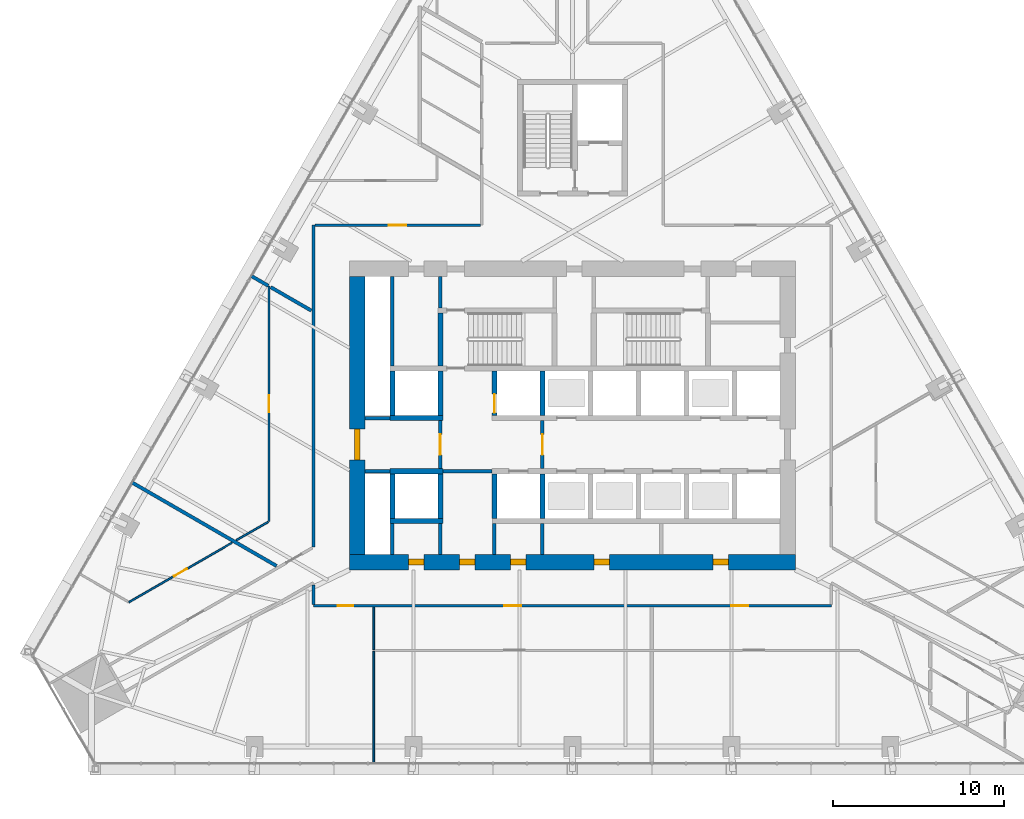
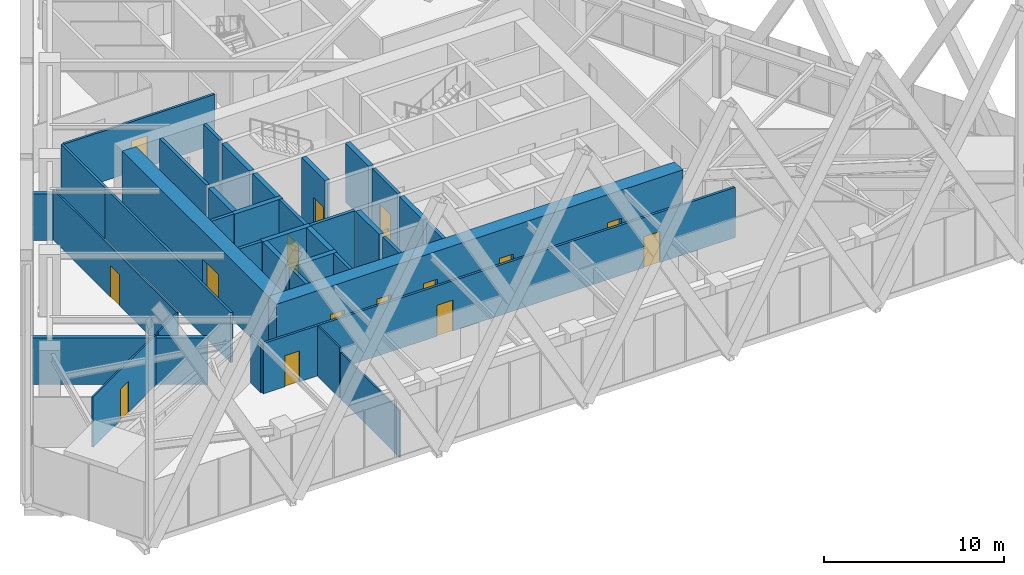
# One storey, part 13 of 19: 37 walls, 15 doors, 15 openings.
"""IFC4 building model written with IfcOpenShell, lengths in metres."""

from ifc_helpers import new_model, si_unit, direction, frame, frame_2d, origin, place, context, subcontext, project, spatial, rectangle, extrude, material, layer, layer_set, type_object, element, fill, save


model = new_model("IFC4")

# Units and contexts
model_context = context("Model", 3, precision=1e-05, world=origin(), true_north=direction((0.0, 1.0)))
body_context = subcontext(model_context, "Body", "Model", "MODEL_VIEW")
ifc_project = project(units=[si_unit("LENGTHUNIT", "METRE"), si_unit("AREAUNIT", "SQUARE_METRE"), si_unit("VOLUMEUNIT", "CUBIC_METRE"), si_unit("PLANEANGLEUNIT", "RADIAN"), si_unit("MASSUNIT", "GRAM", prefix="KILO")], contexts=[model_context])

# Site, building, storey
site_placement = place(None, origin())
site = spatial("IfcSite", under=ifc_project, at=site_placement, CompositionType="ELEMENT")
building_placement = place(site_placement, origin())
building = spatial("IfcBuilding", under=site, at=building_placement, Name="Firuza Gate Tower and Library", CompositionType="ELEMENT")
storey_placement = place(building_placement, frame((0.0, 0.0, 124.0)))
storey = spatial("IfcBuildingStorey", under=building, at=storey_placement, Name="L28", CompositionType="ELEMENT", Elevation=124.0)

# Walls
ifc_material_1 = material(Name="Plasterboard on steel studs", Category="steel")
ifc_layer_1 = layer(ifc_material_1, 0.199951171875)
ifc_layer_set_1 = layer_set([ifc_layer_1], Name="Core partition 200 EI 120")
wall_type_1 = type_object("IfcWallType", Name="Core partition 200 EI 120", PredefinedType="PARTITIONING", material=ifc_layer_set_1)
wall_1_placement = place(storey_placement, frame((62.89990234375, 71.75, 0.0), z_axis=(0.0, 0.0, 1.0), x_axis=(1.0, 0.0, 0.0)))
element("IfcWall", 1, at=wall_1_placement, inside=storey, type_object=wall_type_1, Name="Core partition L28 1", PredefinedType="PARTITIONING", context=body_context, shape_type="SweptSolid", body=[
    extrude(rectangle(XDim=1.4501953125, YDim=0.199951171875, at=frame_2d((0.72509765625, 0.0))), origin(), (0.0, 0.0, 1.0), 4.0),
])
wall_2_placement = place(storey_placement, frame((67.449951171875, 71.75, 0.0), z_axis=(0.0, 0.0, 1.0), x_axis=(1.0, 0.0, 0.0)))
element("IfcWall", 2, at=wall_2_placement, inside=storey, type_object=wall_type_1, Name="Core partition L28 2", PredefinedType="PARTITIONING", context=body_context, shape_type="SweptSolid", body=[
    extrude(rectangle(XDim=2.85009765625, YDim=0.199951171875, at=frame_2d((1.425048828125, 0.0))), origin(), (0.0, 0.0, 1.0), 4.0),
])
wall_3_placement = place(storey_placement, frame((62.89990234375, 74.85009765625, 0.0), z_axis=(0.0, 0.0, 1.0), x_axis=(1.0, 0.0, 0.0)))
element("IfcWall", 3, at=wall_3_placement, inside=storey, type_object=wall_type_1, Name="Core partition L28 3", PredefinedType="PARTITIONING", context=body_context, shape_type="SweptSolid", body=[
    extrude(rectangle(XDim=1.4501953125, YDim=0.199951171875, at=frame_2d((0.72509765625, 0.0))), origin(), (0.0, 0.0, 1.0), 4.0),
])
wall_4_placement = place(storey_placement, frame((64.5, 66.89990234375, 0.0), z_axis=(0.0, 0.0, 1.0), x_axis=(0.0, 1.0, 0.0)))
element("IfcWall", 4, at=wall_4_placement, inside=storey, type_object=wall_type_1, Name="Core partition L28 5", PredefinedType="PARTITIONING", context=body_context, shape_type="SweptSolid", body=[
    extrude(rectangle(XDim=1.800048828125, YDim=0.199951171875, at=frame_2d((0.89990234375, 0.0))), origin(), (0.0, 0.0, 1.0), 4.0),
])
wall_5_placement = place(storey_placement, frame((64.5, 77.89990234375, 0.0), z_axis=(0.0, 0.0, 1.0), x_axis=(0.0, 1.0, 0.0)))
element("IfcWall", 5, at=wall_5_placement, inside=storey, type_object=wall_type_1, Name="Core partition L28 6", PredefinedType="PARTITIONING", context=body_context, shape_type="SweptSolid", body=[
    extrude(rectangle(XDim=5.2001953125, YDim=0.199951171875, at=frame_2d((2.60009765625, 0.0))), origin(), (0.0, 0.0, 1.0), 4.0),
])
for number, where, z_axis, x_axis, name in (
    (6, (67.300048828125, 66.89990234375, 0.0), (0.0, 0.0, 1.0), (0.0, 1.0, 0.0), "Core partition L28 7"),
    (7, (70.449951171875, 66.89990234375, 0.0), (0.0, 0.0, 1.0), (0.0, 1.0, 0.0), "Core partition L28 10"),
    (8, (73.25, 66.89990234375, 0.0), (0.0, 0.0, 1.0), (0.0, 1.0, 0.0), "Core partition L28 11"),
):
    element("IfcWall", number, at=place(storey_placement, frame(where, z_axis=z_axis, x_axis=x_axis)), inside=storey, type_object=wall_type_1, Name=name, PredefinedType="PARTITIONING", context=body_context, shape_type="SweptSolid", body=[
        extrude(rectangle(XDim=1.800048828125, YDim=0.199951171875, at=frame_2d((0.89990234375, 0.0))), origin(), (0.0, 0.0, 1.0), 4.0),
    ])

# Wall, opening, door
ifc_material_2 = material(Name="Plasterboard on steel studs", Category="steel")
ifc_layer_2 = layer(ifc_material_2, 0.199951171875)
ifc_layer_set_2 = layer_set([ifc_layer_2], Name="Core partition 200 EI 60")
wall_type_2 = type_object("IfcWallType", Name="Core partition 200 EI 60", PredefinedType="PARTITIONING", material=ifc_layer_set_2)
wall_6_placement = place(storey_placement, frame((67.300048828125, 71.89990234375, 0.0), z_axis=(0.0, 0.0, 1.0), x_axis=(0.0, 1.0, 0.0)))
wall_6 = element("IfcWall", 9, at=wall_6_placement, inside=storey, type_object=wall_type_2, Name="Core partition L28 8", PredefinedType="PARTITIONING", context=body_context, shape_type="SweptSolid", body=[
    extrude(rectangle(XDim=2.800048828125, YDim=0.199951171875, at=frame_2d((1.39990234375, 0.0))), origin(), (0.0, 0.0, 1.0), 4.0),
])
opening_1_placement = place(wall_6_placement, frame((0.800048828125, 0.0, 0.0)))
opening_1 = element("IfcOpeningElement", 10, at=opening_1_placement, cuts=wall_6, Name="Opening L28-K21", PredefinedType="OPENING", context=body_context, shape_type="SweptSolid", body=[
    extrude(rectangle(XDim=1.199951171875, YDim=2.10009765625, at=frame_2d((0.60009765625, 1.050048828125))), frame((0.0, 0.10986328125, 0.0), z_axis=(0.0, -1.0, 0.0), x_axis=(1.0, 0.0, 0.0)), (0.0, 0.0, 1.0), 0.219970703125),
])
ifc_material_3 = material(Name="Steel", Category="steel")
door_type_1 = type_object("IfcDoorType", Name="Fire door 1200x2100 FD90S", OperationType="NOTDEFINED", PredefinedType="DOOR", material=ifc_material_3)
door_1_placement = place(opening_1_placement, origin())
door_1 = element("IfcDoor", 11, at=door_1_placement, inside=storey, type_object=door_type_1, Name="Door L28-K21", OperationType="SINGLE_SWING_RIGHT", OverallHeight=2.10009765625, OverallWidth=1.199951171875, PredefinedType="DOOR", context=body_context, shape_type="SweptSolid", body=[
    extrude(rectangle(XDim=1.199951171875, YDim=2.10009765625, at=frame_2d((0.60009765625, 1.050048828125))), frame((0.0, 0.02490234375, 0.0), z_axis=(0.0, -1.0, 0.0), x_axis=(1.0, 0.0, 0.0)), (0.0, 0.0, 1.0), 0.050048828125),
])
fill(opening_1, door_1)

# Wall
wall_7_placement = place(storey_placement, frame((67.300048828125, 81.280029296875, 0.0), z_axis=(0.0, 0.0, 1.0), x_axis=(0.0, 1.0, 0.0)))
element("IfcWall", 12, at=wall_7_placement, inside=storey, type_object=wall_type_2, Name="Core partition L28 9", PredefinedType="PARTITIONING", context=body_context, shape_type="SweptSolid", body=[
    extrude(rectangle(XDim=1.820068359375, YDim=0.199951171875, at=frame_2d((0.91015625, 0.0))), origin(), (0.0, 0.0, 1.0), 4.0),
])

# Wall, opening, door
wall_8_placement = place(storey_placement, frame((73.25, 71.89990234375, 0.0), z_axis=(0.0, 0.0, 1.0), x_axis=(0.0, 1.0, 0.0)))
wall_8 = element("IfcWall", 13, at=wall_8_placement, inside=storey, type_object=wall_type_2, Name="Core partition L28 12", PredefinedType="PARTITIONING", context=body_context, shape_type="SweptSolid", body=[
    extrude(rectangle(XDim=2.800048828125, YDim=0.199951171875, at=frame_2d((1.39990234375, 0.0))), origin(), (0.0, 0.0, 1.0), 4.0),
])
opening_2_placement = place(wall_8_placement, frame((0.800048828125, 0.0, 0.0)))
opening_2 = element("IfcOpeningElement", 14, at=opening_2_placement, cuts=wall_8, Name="Opening L28-K20", PredefinedType="OPENING", context=body_context, shape_type="SweptSolid", body=[
    extrude(rectangle(XDim=1.199951171875, YDim=2.10009765625, at=frame_2d((0.60009765625, 1.050048828125))), frame((0.0, 0.10986328125, 0.0), z_axis=(0.0, -1.0, 0.0), x_axis=(1.0, 0.0, 0.0)), (0.0, 0.0, 1.0), 0.219970703125),
])
door_2_placement = place(opening_2_placement, origin())
door_2 = element("IfcDoor", 15, at=door_2_placement, inside=storey, type_object=door_type_1, Name="Door L28-K20", OperationType="SINGLE_SWING_LEFT", OverallHeight=2.10009765625, OverallWidth=1.199951171875, PredefinedType="DOOR", context=body_context, shape_type="SweptSolid", body=[
    extrude(rectangle(XDim=1.199951171875, YDim=2.10009765625, at=frame_2d((0.60009765625, 1.050048828125))), frame((0.0, 0.02490234375, 0.0), z_axis=(0.0, -1.0, 0.0), x_axis=(1.0, 0.0, 0.0)), (0.0, 0.0, 1.0), 0.050048828125),
])
fill(opening_2, door_2)

# Walls
ifc_material_4 = material(Name="Concrete C80/95", Category="concrete")
ifc_layer_3 = layer(ifc_material_4, 0.300048828125)
ifc_layer_set_3 = layer_set([ifc_layer_3], Name="Core wall 300 C80/95")
wall_type_3 = type_object("IfcWallType", Name="Core wall 300 C80/95", PredefinedType="SHEAR", material=ifc_layer_set_3)
for number, where, z_axis, x_axis, name in (
    (16, (64.35009765625, 68.85009765625, 0.0), (0.0, 0.0, 1.0), (1.0, 0.0, 0.0), "Core wall L28 5"),
    (17, (64.35009765625, 71.75, 0.0), (0.0, 0.0, 1.0), (1.0, 0.0, 0.0), "Core wall L28 7"),
    (18, (64.35009765625, 74.85009765625, 0.0), (0.0, 0.0, 1.0), (1.0, 0.0, 0.0), "Core wall L28 9"),
):
    element("IfcWall", number, at=place(storey_placement, frame(where, z_axis=z_axis, x_axis=x_axis)), inside=storey, type_object=wall_type_3, Name=name, PredefinedType="SHEAR", context=body_context, shape_type="SweptSolid", body=[
        extrude(rectangle(XDim=3.099853515625, YDim=0.300048828125, at=frame_2d((1.5498046875, 0.0))), origin(), (0.0, 0.0, 1.0), 4.0),
    ])
for number, where, z_axis, x_axis, name in (
    (19, (64.5, 69.0, 0.0), (0.0, 0.0, 1.0), (0.0, 1.0, 0.0), "Core wall L28 11"),
    (20, (64.5, 75.0, 0.0), (0.0, 0.0, 1.0), (0.0, 1.0, 0.0), "Core wall L28 12"),
    (21, (67.300048828125, 69.0, 0.0), (0.0, 0.0, 1.0), (0.0, 1.0, 0.0), "Core wall L28 13"),
    (22, (67.300048828125, 75.0, 0.0), (0.0, 0.0, 1.0), (0.0, 1.0, 0.0), "Core wall L28 14"),
    (23, (70.449951171875, 69.0, 0.0), (0.0, 0.0, 1.0), (0.0, 1.0, 0.0), "Core wall L28 15"),
):
    element("IfcWall", number, at=place(storey_placement, frame(where, z_axis=z_axis, x_axis=x_axis)), inside=storey, type_object=wall_type_3, Name=name, PredefinedType="SHEAR", context=body_context, shape_type="SweptSolid", body=[
        extrude(rectangle(XDim=2.60009765625, YDim=0.300048828125, at=frame_2d((1.300048828125, 0.0))), origin(), (0.0, 0.0, 1.0), 4.0),
    ])

# Wall, opening, door
wall_9_placement = place(storey_placement, frame((70.449951171875, 75.0, 0.0), z_axis=(0.0, 0.0, 1.0), x_axis=(0.0, 1.0, 0.0)))
wall_9 = element("IfcWall", 24, at=wall_9_placement, inside=storey, type_object=wall_type_3, Name="Core wall L28 16", PredefinedType="SHEAR", context=body_context, shape_type="SweptSolid", body=[
    extrude(rectangle(XDim=2.60009765625, YDim=0.300048828125, at=frame_2d((1.300048828125, 0.0))), origin(), (0.0, 0.0, 1.0), 4.0),
])
opening_3_placement = place(wall_9_placement, frame((0.14990234375, 0.0, 0.0)))
opening_3 = element("IfcOpeningElement", 25, at=opening_3_placement, cuts=wall_9, Name="Opening LD-FF2-L28", PredefinedType="OPENING", context=body_context, shape_type="SweptSolid", body=[
    extrude(rectangle(XDim=1.10009765625, YDim=2.10009765625, at=frame_2d((0.550048828125, 1.050048828125))), frame((0.0, 0.16015625, 0.0), z_axis=(0.0, -1.0, 0.0), x_axis=(1.0, 0.0, 0.0)), (0.0, 0.0, 1.0), 0.320068359375),
])
ifc_material_5 = material(Name="Stainless steel", Category="steel")
door_type_2 = type_object("IfcDoorType", Name="Lift landing door 1100x2100", OperationType="DOUBLE_DOOR_SLIDING", PredefinedType="DOOR", material=ifc_material_5)
door_3_placement = place(opening_3_placement, origin())
door_3 = element("IfcDoor", 26, at=door_3_placement, inside=storey, type_object=door_type_2, Name="Landing door FF2 L28", OperationType="DOUBLE_DOOR_SLIDING", OverallHeight=2.10009765625, OverallWidth=1.10009765625, PredefinedType="DOOR", context=body_context, shape_type="SweptSolid", body=[
    extrude(rectangle(XDim=1.10009765625, YDim=2.10009765625, at=frame_2d((0.550048828125, 1.050048828125))), frame((0.0, 0.02490234375, 0.0), z_axis=(0.0, -1.0, 0.0), x_axis=(1.0, 0.0, 0.0)), (0.0, 0.0, 1.0), 0.050048828125),
])
fill(opening_3, door_3)

# Walls
for number, where, z_axis, x_axis, name in (
    (27, (73.25, 69.0, 0.0), (0.0, 0.0, 1.0), (0.0, 1.0, 0.0), "Core wall L28 17"),
    (28, (73.25, 75.0, 0.0), (0.0, 0.0, 1.0), (0.0, 1.0, 0.0), "Core wall L28 18"),
):
    element("IfcWall", number, at=place(storey_placement, frame(where, z_axis=z_axis, x_axis=x_axis)), inside=storey, type_object=wall_type_3, Name=name, PredefinedType="SHEAR", context=body_context, shape_type="SweptSolid", body=[
        extrude(rectangle(XDim=2.60009765625, YDim=0.300048828125, at=frame_2d((1.300048828125, 0.0))), origin(), (0.0, 0.0, 1.0), 4.0),
    ])
wall_10_placement = place(storey_placement, frame((67.300048828125, 77.89990234375, 0.0), z_axis=(0.0, 0.0, 1.0), x_axis=(0.0, 1.0, 0.0)))
element("IfcWall", 29, at=wall_10_placement, inside=storey, type_object=wall_type_3, Name="Core wall L28 30", PredefinedType="SHEAR", context=body_context, shape_type="SweptSolid", body=[
    extrude(rectangle(XDim=3.080078125, YDim=0.300048828125, at=frame_2d((1.5400390625, 0.0))), origin(), (0.0, 0.0, 1.0), 4.0),
])

# Wall, openings, doors
ifc_material_6 = material(Name="Concrete C80/95", Category="concrete")
ifc_layer_4 = layer(ifc_material_6, 0.89990234375)
ifc_layer_set_4 = layer_set([ifc_layer_4], Name="Core wall 900 C80/95")
wall_type_4 = type_object("IfcWallType", Name="Core wall 900 C80/95", PredefinedType="SHEAR", material=ifc_layer_set_4)
wall_11_placement = place(storey_placement, frame((62.0, 66.449951171875, 0.0), z_axis=(0.0, 0.0, 1.0), x_axis=(1.0, 0.0, 0.0)))
wall_11 = element("IfcWall", 30, at=wall_11_placement, inside=storey, type_object=wall_type_4, Name="Core wall L28 1", PredefinedType="SHEAR", context=body_context, shape_type="SweptSolid", body=[
    extrude(rectangle(XDim=26.0, YDim=0.89990234375, at=frame_2d((13.0, 0.0))), origin(), (0.0, 0.0, 1.0), 4.0),
])
opening_4_placement = place(wall_11_placement, frame((3.449951171875, 0.0, 0.0)))
opening_4 = element("IfcOpeningElement", 31, at=opening_4_placement, cuts=wall_11, Name="Opening L28-K24", PredefinedType="OPENING", context=body_context, shape_type="SweptSolid", body=[
    extrude(rectangle(XDim=0.89990234375, YDim=2.10009765625, at=frame_2d((0.449951171875, 1.050048828125))), frame((0.0, 0.4599609375, 0.0), z_axis=(0.0, -1.0, 0.0), x_axis=(1.0, 0.0, 0.0)), (0.0, 0.0, 1.0), 0.919921875),
])
opening_5_placement = place(wall_11_placement, frame((6.425048828125, 0.0, 0.0)))
opening_5 = element("IfcOpeningElement", 32, at=opening_5_placement, cuts=wall_11, Name="Opening L28-K25", PredefinedType="OPENING", context=body_context, shape_type="SweptSolid", body=[
    extrude(rectangle(XDim=0.89990234375, YDim=2.10009765625, at=frame_2d((0.449951171875, 1.050048828125))), frame((0.0, 0.4599609375, 0.0), z_axis=(0.0, -1.0, 0.0), x_axis=(1.0, 0.0, 0.0)), (0.0, 0.0, 1.0), 0.919921875),
])
opening_6_placement = place(wall_11_placement, frame((9.39990234375, 0.0, 0.0)))
opening_6 = element("IfcOpeningElement", 33, at=opening_6_placement, cuts=wall_11, Name="Opening L28-K26", PredefinedType="OPENING", context=body_context, shape_type="SweptSolid", body=[
    extrude(rectangle(XDim=0.89990234375, YDim=2.10009765625, at=frame_2d((0.449951171875, 1.050048828125))), frame((0.0, 0.4599609375, 0.0), z_axis=(0.0, -1.0, 0.0), x_axis=(1.0, 0.0, 0.0)), (0.0, 0.0, 1.0), 0.919921875),
])
opening_7_placement = place(wall_11_placement, frame((14.262451171875, 0.0, 0.0)))
opening_7 = element("IfcOpeningElement", 34, at=opening_7_placement, cuts=wall_11, Name="Opening L28-K27", PredefinedType="OPENING", context=body_context, shape_type="SweptSolid", body=[
    extrude(rectangle(XDim=0.89990234375, YDim=2.10009765625, at=frame_2d((0.449951171875, 1.050048828125))), frame((0.0, 0.4599609375, 0.0), z_axis=(0.0, -1.0, 0.0), x_axis=(1.0, 0.0, 0.0)), (0.0, 0.0, 1.0), 0.919921875),
])
opening_8_placement = place(wall_11_placement, frame((21.1875, 0.0, 0.0)))
opening_8 = element("IfcOpeningElement", 35, at=opening_8_placement, cuts=wall_11, Name="Opening L28-K28", PredefinedType="OPENING", context=body_context, shape_type="SweptSolid", body=[
    extrude(rectangle(XDim=0.89990234375, YDim=2.10009765625, at=frame_2d((0.449951171875, 1.050048828125))), frame((0.0, 0.4599609375, 0.0), z_axis=(0.0, -1.0, 0.0), x_axis=(1.0, 0.0, 0.0)), (0.0, 0.0, 1.0), 0.919921875),
])
ifc_material_7 = material(Name="Steel", Category="steel")
door_type_3 = type_object("IfcDoorType", Name="Fire door 900x2100 FD30S", OperationType="NOTDEFINED", PredefinedType="DOOR", material=ifc_material_7)
door_4_placement = place(opening_4_placement, origin())
door_4 = element("IfcDoor", 36, at=door_4_placement, inside=storey, type_object=door_type_3, Name="Door L28-K24", OperationType="SINGLE_SWING_LEFT", OverallHeight=2.10009765625, OverallWidth=0.89990234375, PredefinedType="DOOR", context=body_context, shape_type="SweptSolid", body=[
    extrude(rectangle(XDim=0.89990234375, YDim=2.10009765625, at=frame_2d((0.449951171875, 1.050048828125))), frame((0.0, 0.169921875, 0.0), z_axis=(0.0, -1.0, 0.0), x_axis=(1.0, 0.0, 0.0)), (0.0, 0.0, 1.0), 0.33984375),
])
fill(opening_4, door_4)
door_5_placement = place(opening_5_placement, origin())
door_5 = element("IfcDoor", 37, at=door_5_placement, inside=storey, type_object=door_type_3, Name="Door L28-K25", OperationType="SINGLE_SWING_RIGHT", OverallHeight=2.10009765625, OverallWidth=0.89990234375, PredefinedType="DOOR", context=body_context, shape_type="SweptSolid", body=[
    extrude(rectangle(XDim=0.89990234375, YDim=2.10009765625, at=frame_2d((0.449951171875, 1.050048828125))), frame((0.0, 0.169921875, 0.0), z_axis=(0.0, -1.0, 0.0), x_axis=(1.0, 0.0, 0.0)), (0.0, 0.0, 1.0), 0.33984375),
])
fill(opening_5, door_5)
door_6_placement = place(opening_6_placement, origin())
door_6 = element("IfcDoor", 38, at=door_6_placement, inside=storey, type_object=door_type_3, Name="Door L28-K26", OperationType="SINGLE_SWING_LEFT", OverallHeight=2.10009765625, OverallWidth=0.89990234375, PredefinedType="DOOR", context=body_context, shape_type="SweptSolid", body=[
    extrude(rectangle(XDim=0.89990234375, YDim=2.10009765625, at=frame_2d((0.449951171875, 1.050048828125))), frame((0.0, 0.169921875, 0.0), z_axis=(0.0, -1.0, 0.0), x_axis=(1.0, 0.0, 0.0)), (0.0, 0.0, 1.0), 0.33984375),
])
fill(opening_6, door_6)
door_7_placement = place(opening_7_placement, origin())
door_7 = element("IfcDoor", 39, at=door_7_placement, inside=storey, type_object=door_type_3, Name="Door L28-K27", OperationType="SINGLE_SWING_RIGHT", OverallHeight=2.10009765625, OverallWidth=0.89990234375, PredefinedType="DOOR", context=body_context, shape_type="SweptSolid", body=[
    extrude(rectangle(XDim=0.89990234375, YDim=2.10009765625, at=frame_2d((0.449951171875, 1.050048828125))), frame((0.0, 0.169921875, 0.0), z_axis=(0.0, -1.0, 0.0), x_axis=(1.0, 0.0, 0.0)), (0.0, 0.0, 1.0), 0.33984375),
])
fill(opening_7, door_7)
door_8_placement = place(opening_8_placement, origin())
door_8 = element("IfcDoor", 40, at=door_8_placement, inside=storey, type_object=door_type_3, Name="Door L28-K28", OperationType="SINGLE_SWING_LEFT", OverallHeight=2.10009765625, OverallWidth=0.89990234375, PredefinedType="DOOR", context=body_context, shape_type="SweptSolid", body=[
    extrude(rectangle(XDim=0.89990234375, YDim=2.10009765625, at=frame_2d((0.449951171875, 1.050048828125))), frame((0.0, 0.169921875, 0.0), z_axis=(0.0, -1.0, 0.0), x_axis=(1.0, 0.0, 0.0)), (0.0, 0.0, 1.0), 0.33984375),
])
fill(opening_8, door_8)

# Wall, opening, door
wall_12_placement = place(storey_placement, frame((62.449951171875, 66.89990234375, 0.0), z_axis=(0.0, 0.0, 1.0), x_axis=(0.0, 1.0, 0.0)))
wall_12 = element("IfcWall", 41, at=wall_12_placement, inside=storey, type_object=wall_type_4, Name="Core wall L28 3", PredefinedType="SHEAR", context=body_context, shape_type="SweptSolid", body=[
    extrude(rectangle(XDim=16.2001953125, YDim=0.89990234375, at=frame_2d((8.10009765625, 0.0))), origin(), (0.0, 0.0, 1.0), 4.0),
])
opening_9_placement = place(wall_12_placement, frame((5.5, 0.0, 0.0)))
opening_9 = element("IfcOpeningElement", 42, at=opening_9_placement, cuts=wall_12, Name="Opening L28-K22", PredefinedType="OPENING", context=body_context, shape_type="SweptSolid", body=[
    extrude(rectangle(XDim=1.800048828125, YDim=2.10009765625, at=frame_2d((0.89990234375, 1.050048828125))), frame((0.0, 0.4599609375, 0.0), z_axis=(0.0, -1.0, 0.0), x_axis=(1.0, 0.0, 0.0)), (0.0, 0.0, 1.0), 0.919921875),
])
ifc_material_8 = material(Name="Steel", Category="steel")
door_type_4 = type_object("IfcDoorType", Name="Fire door 1800x2100 FD30S", OperationType="NOTDEFINED", PredefinedType="DOOR", material=ifc_material_8)
door_9_placement = place(opening_9_placement, origin())
door_9 = element("IfcDoor", 43, at=door_9_placement, inside=storey, type_object=door_type_4, Name="Door L28-K22", OperationType="SINGLE_SWING_LEFT", OverallHeight=2.10009765625, OverallWidth=1.800048828125, PredefinedType="DOOR", context=body_context, shape_type="SweptSolid", body=[
    extrude(rectangle(XDim=1.800048828125, YDim=2.10009765625, at=frame_2d((0.89990234375, 1.050048828125))), frame((0.0, 0.169921875, 0.0), z_axis=(0.0, -1.0, 0.0), x_axis=(1.0, 0.0, 0.0)), (0.0, 0.0, 1.0), 0.33984375),
])
fill(opening_9, door_9)

# Wall, openings, doors
ifc_material_9 = material(Name="Gypsum board partition")
ifc_layer_5 = layer(ifc_material_9, 0.14990234375)
ifc_layer_set_5 = layer_set([ifc_layer_5], Name="Corridor wall 150 double board on steel studs")
wall_type_5 = type_object("IfcWallType", Name="Corridor wall 150 double board on steel studs", PredefinedType="PARTITIONING", material=ifc_layer_set_5)
wall_13_placement = place(storey_placement, frame((90.10009765625, 63.89990234375, 0.0), z_axis=(0.0, 0.0, 1.0), x_axis=(-1.0, 0.0, 0.0)))
wall_13 = element("IfcWall", 44, at=wall_13_placement, inside=storey, type_object=wall_type_5, Name="f:L28:w001", PredefinedType="PARTITIONING", context=body_context, shape_type="SweptSolid", body=[
    extrude(rectangle(XDim=30.19970703125, YDim=0.14990234375, at=frame_2d((15.099853515625, 0.0))), origin(), (0.0, 0.0, 1.0), 3.39990234375),
])
opening_10_placement = place(wall_13_placement, frame((4.83349609375, 0.0, 0.0)))
opening_10 = element("IfcOpeningElement", 45, at=opening_10_placement, cuts=wall_13, Name="Opening L28-03", PredefinedType="OPENING", context=body_context, shape_type="SweptSolid", body=[
    extrude(rectangle(XDim=1.0, YDim=2.10009765625, at=frame_2d((0.5, 1.050048828125))), frame((0.0, 0.0849609375, 0.0), z_axis=(0.0, -1.0, 0.0), x_axis=(1.0, 0.0, 0.0)), (0.0, 0.0, 1.0), 0.169921875),
])
opening_11_placement = place(wall_13_placement, frame((18.0771484375, 0.0, 0.0)))
opening_11 = element("IfcOpeningElement", 46, at=opening_11_placement, cuts=wall_13, Name="Opening L28-04", PredefinedType="OPENING", context=body_context, shape_type="SweptSolid", body=[
    extrude(rectangle(XDim=1.0, YDim=2.10009765625, at=frame_2d((0.5, 1.050048828125))), frame((0.0, 0.0849609375, 0.0), z_axis=(0.0, -1.0, 0.0), x_axis=(1.0, 0.0, 0.0)), (0.0, 0.0, 1.0), 0.169921875),
])
opening_12_placement = place(wall_13_placement, frame((27.893310546875, 0.0, 0.0)))
opening_12 = element("IfcOpeningElement", 47, at=opening_12_placement, cuts=wall_13, Name="Opening L28-05", PredefinedType="OPENING", context=body_context, shape_type="SweptSolid", body=[
    extrude(rectangle(XDim=0.89990234375, YDim=2.10009765625, at=frame_2d((0.449951171875, 1.050048828125))), frame((0.0, 0.0849609375, 0.0), z_axis=(0.0, -1.0, 0.0), x_axis=(1.0, 0.0, 0.0)), (0.0, 0.0, 1.0), 0.169921875),
])
ifc_material_10 = material(Name="Steel door and timber leaf", Category="steel")
door_type_5 = type_object("IfcDoorType", Name="Fire door 1000 x 2100 steel frame, timber leaf", OperationType="NOTDEFINED", PredefinedType="DOOR", material=ifc_material_10)
door_10_placement = place(opening_10_placement, origin())
door_10 = element("IfcDoor", 48, at=door_10_placement, inside=storey, type_object=door_type_5, Name="f:L28:d003", OperationType="SINGLE_SWING_RIGHT", OverallHeight=2.10009765625, OverallWidth=1.0, PredefinedType="DOOR", context=body_context, shape_type="SweptSolid", body=[
    extrude(rectangle(XDim=1.0, YDim=2.10009765625, at=frame_2d((0.5, 1.050048828125))), frame((0.0, 0.02490234375, 0.0), z_axis=(0.0, -1.0, 0.0), x_axis=(1.0, 0.0, 0.0)), (0.0, 0.0, 1.0), 0.050048828125),
])
fill(opening_10, door_10)
door_11_placement = place(opening_11_placement, origin())
door_11 = element("IfcDoor", 49, at=door_11_placement, inside=storey, type_object=door_type_5, Name="f:L28:d004", OperationType="SINGLE_SWING_RIGHT", OverallHeight=2.10009765625, OverallWidth=1.0, PredefinedType="DOOR", context=body_context, shape_type="SweptSolid", body=[
    extrude(rectangle(XDim=1.0, YDim=2.10009765625, at=frame_2d((0.5, 1.050048828125))), frame((0.0, 0.02490234375, 0.0), z_axis=(0.0, -1.0, 0.0), x_axis=(1.0, 0.0, 0.0)), (0.0, 0.0, 1.0), 0.050048828125),
])
fill(opening_11, door_11)
ifc_material_11 = material(Name="Steel door and timber leaf", Category="steel")
door_type_6 = type_object("IfcDoorType", Name="Fire door 900 x 2100 steel frame, timber leaf", OperationType="NOTDEFINED", PredefinedType="DOOR", material=ifc_material_11)
door_12_placement = place(opening_12_placement, origin())
door_12 = element("IfcDoor", 50, at=door_12_placement, inside=storey, type_object=door_type_6, Name="f:L28:d005", OperationType="SINGLE_SWING_RIGHT", OverallHeight=2.10009765625, OverallWidth=0.89990234375, PredefinedType="DOOR", context=body_context, shape_type="SweptSolid", body=[
    extrude(rectangle(XDim=0.89990234375, YDim=2.10009765625, at=frame_2d((0.449951171875, 1.050048828125))), frame((0.0, 0.02490234375, 0.0), z_axis=(0.0, -1.0, 0.0), x_axis=(1.0, 0.0, 0.0)), (0.0, 0.0, 1.0), 0.050048828125),
])
fill(opening_12, door_12)

# Wall, opening, door
wall_14_placement = place(storey_placement, frame((59.9755859375, 86.10009765625, 0.0), z_axis=(0.0, 0.0, 1.0), x_axis=(1.0, 0.0, 0.0)))
wall_14 = element("IfcWall", 51, at=wall_14_placement, inside=storey, type_object=wall_type_5, Name="f:L28:w002", PredefinedType="PARTITIONING", context=body_context, shape_type="SweptSolid", body=[
    extrude(rectangle(XDim=9.6494140625, YDim=0.14990234375, at=frame_2d((4.82470703125, 0.0))), origin(), (0.0, 0.0, 1.0), 3.39990234375),
])
opening_13_placement = place(wall_14_placement, frame((4.32470703125, 0.0, 0.0)))
opening_13 = element("IfcOpeningElement", 52, at=opening_13_placement, cuts=wall_14, Name="Opening L28-06", PredefinedType="OPENING", context=body_context, shape_type="SweptSolid", body=[
    extrude(rectangle(XDim=1.0, YDim=2.10009765625, at=frame_2d((0.5, 1.050048828125))), frame((0.0, 0.0849609375, 0.0), z_axis=(0.0, -1.0, 0.0), x_axis=(1.0, 0.0, 0.0)), (0.0, 0.0, 1.0), 0.169921875),
])
door_13_placement = place(opening_13_placement, origin())
door_13 = element("IfcDoor", 53, at=door_13_placement, inside=storey, type_object=door_type_5, Name="f:L28:d006", OperationType="SINGLE_SWING_RIGHT", OverallHeight=2.10009765625, OverallWidth=1.0, PredefinedType="DOOR", context=body_context, shape_type="SweptSolid", body=[
    extrude(rectangle(XDim=1.0, YDim=2.10009765625, at=frame_2d((0.5, 1.050048828125))), frame((0.0, 0.02490234375, 0.0), z_axis=(0.0, -1.0, 0.0), x_axis=(1.0, 0.0, 0.0)), (0.0, 0.0, 1.0), 0.050048828125),
])
fill(opening_13, door_13)

# Walls
wall_15_placement = place(storey_placement, frame((59.89990234375, 63.9755859375, 0.0), z_axis=(0.0, 0.0, 1.0), x_axis=(0.0, 1.0, 0.0)))
element("IfcWall", 54, at=wall_15_placement, inside=storey, type_object=wall_type_5, Name="f:L28:w044", PredefinedType="PARTITIONING", context=body_context, shape_type="SweptSolid", body=[
    extrude(rectangle(XDim=1.130615234375, YDim=0.14990234375, at=frame_2d((0.5654296875, 0.0))), origin(), (0.0, 0.0, 1.0), 3.2470703125),
])
wall_16_placement = place(storey_placement, frame((59.89990234375, 67.3212890625, 0.0), z_axis=(0.0, 0.0, 1.0), x_axis=(0.0, 1.0, 0.0)))
element("IfcWall", 55, at=wall_16_placement, inside=storey, type_object=wall_type_5, Name="f:L28:w045", PredefinedType="PARTITIONING", context=body_context, shape_type="SweptSolid", body=[
    extrude(rectangle(XDim=18.7783203125, YDim=0.14990234375, at=frame_2d((9.38916015625, 0.0))), origin(), (0.0, 0.0, 1.0), 3.39990234375),
])
ifc_material_12 = material(Name="Gypsum board partition")
ifc_layer_6 = layer(ifc_material_12, 0.199951171875)
ifc_layer_set_6 = layer_set([ifc_layer_6], Name="Demising wall 200 acoustic double stud")
wall_type_6 = type_object("IfcWallType", Name="Demising wall 200 acoustic double stud", PredefinedType="PARTITIONING", material=ifc_layer_set_6)
wall_17_placement = place(storey_placement, frame((59.773193359375, 81.11474609375, 0.0), z_axis=(0.0, 0.0, 1.0), x_axis=(-0.86604168154, 0.499971805041, 0.0)))
element("IfcWall", 56, at=wall_17_placement, inside=storey, type_object=wall_type_6, Name="f:L28:w058", PredefinedType="PARTITIONING", context=body_context, shape_type="SweptSolid", body=[
    extrude(rectangle(XDim=2.740478515625, YDim=0.199951171875, at=frame_2d((1.3701171875, 0.0))), origin(), (0.0, 0.0, 1.0), 3.39990234375),
])
wall_18_placement = place(storey_placement, frame((57.746337890625, 66.22412109375, 0.0), z_axis=(0.0, 0.0, 1.0), x_axis=(-0.866017068849, 0.500014436255, 0.0)))
element("IfcWall", 57, at=wall_18_placement, inside=storey, type_object=wall_type_6, Name="f:L28:w062", PredefinedType="PARTITIONING", context=body_context, shape_type="SweptSolid", body=[
    extrude(rectangle(XDim=9.722900390625, YDim=0.199951171875, at=frame_2d((4.861328125, 0.0))), origin(), (0.0, 0.0, 1.0), 3.1650390625),
])
wall_19_placement = place(storey_placement, frame((57.2626953125, 82.564208984375, 0.0), z_axis=(0.0, 0.0, 1.0), x_axis=(-0.8660349869, 0.499983401189, 0.0)))
element("IfcWall", 58, at=wall_19_placement, inside=storey, type_object=wall_type_6, Name="f:L28:w072", PredefinedType="PARTITIONING", context=body_context, shape_type="SweptSolid", body=[
    extrude(rectangle(XDim=1.1337890625, YDim=0.199951171875, at=frame_2d((0.56689453125, 0.0))), origin(), (0.0, 0.0, 1.0), 3.1650390625),
])

# Wall, opening, door
ifc_material_13 = material(Name="Gypsum board partition")
ifc_layer_7 = layer(ifc_material_13, 0.10009765625)
ifc_layer_set_7 = layer_set([ifc_layer_7], Name="Partition 100 gypsum board on steel studs")
wall_type_7 = type_object("IfcWallType", Name="Partition 100 gypsum board on steel studs", PredefinedType="PARTITIONING", material=ifc_layer_set_7)
wall_20_placement = place(storey_placement, frame((55.14794921875, 67.580078125, 0.0), z_axis=(0.0, 0.0, 1.0), x_axis=(-0.866019333862, -0.500010513267, 0.0)))
wall_20 = element("IfcWall", 59, at=wall_20_placement, inside=storey, type_object=wall_type_7, Name="f:L28:w018", PredefinedType="PARTITIONING", context=body_context, shape_type="SweptSolid", body=[
    extrude(rectangle(XDim=6.945068359375, YDim=0.10009765625, at=frame_2d((3.47265625, 0.0))), origin(), (0.0, 0.0, 1.0), 3.39990234375),
])
opening_14_placement = place(wall_20_placement, frame((3.022705078125, 0.0, 0.0)))
opening_14 = element("IfcOpeningElement", 60, at=opening_14_placement, cuts=wall_20, Name="Opening L28-14", PredefinedType="OPENING", context=body_context, shape_type="SweptSolid", body=[
    extrude(rectangle(XDim=0.89990234375, YDim=2.10009765625, at=frame_2d((0.449951171875, 1.050048828125))), frame((0.0, 0.06005859375, 0.0), z_axis=(0.0, -1.0, 0.0), x_axis=(1.0, 0.0, 0.0)), (0.0, 0.0, 1.0), 0.1201171875),
])
ifc_material_14 = material(Name="Timber door", Category="wood")
door_type_7 = type_object("IfcDoorType", Name="Door 900 x 2100 timber leaf", OperationType="NOTDEFINED", PredefinedType="DOOR", material=ifc_material_14)
door_14_placement = place(opening_14_placement, origin())
door_14 = element("IfcDoor", 61, at=door_14_placement, inside=storey, type_object=door_type_7, Name="f:L28:d014", OperationType="SINGLE_SWING_LEFT", OverallHeight=2.10009765625, OverallWidth=0.89990234375, PredefinedType="DOOR", context=body_context, shape_type="SweptSolid", body=[
    extrude(rectangle(XDim=0.89990234375, YDim=2.10009765625, at=frame_2d((0.449951171875, 1.050048828125))), frame((0.0, 0.02490234375, 0.0), z_axis=(0.0, -1.0, 0.0), x_axis=(1.0, 0.0, 0.0)), (0.0, 0.0, 1.0), 0.050048828125),
])
fill(opening_14, door_14)

# Wall
wall_21_placement = place(storey_placement, frame((63.409912109375, 54.722900390625, 0.0), z_axis=(0.0, 0.0, 1.0), x_axis=(0.0, 1.0, 0.0)))
element("IfcWall", 62, at=wall_21_placement, inside=storey, type_object=wall_type_7, Name="f:L28:w043", PredefinedType="PARTITIONING", context=body_context, shape_type="SweptSolid", body=[
    extrude(rectangle(XDim=6.527099609375, YDim=0.10009765625, at=frame_2d((3.263671875, 0.0))), origin(), (0.0, 0.0, 1.0), 3.1650390625),
])

# Wall, opening, door
wall_22_placement = place(storey_placement, frame((57.300048828125, 82.54248046875, 0.0), z_axis=(0.0, 0.0, 1.0), x_axis=(0.0, -1.0, 0.0)))
wall_22 = element("IfcWall", 63, at=wall_22_placement, inside=storey, type_object=wall_type_7, Name="f:L28:w046", PredefinedType="PARTITIONING", context=body_context, shape_type="SweptSolid", body=[
    extrude(rectangle(XDim=13.72021484375, YDim=0.10009765625, at=frame_2d((6.860107421875, 0.0))), origin(), (0.0, 0.0, 1.0), 3.39990234375),
])
opening_15_placement = place(wall_22_placement, frame((6.360107421875, 0.0, 0.0)))
opening_15 = element("IfcOpeningElement", 64, at=opening_15_placement, cuts=wall_22, Name="Opening L28-26", PredefinedType="OPENING", context=body_context, shape_type="SweptSolid", body=[
    extrude(rectangle(XDim=1.0, YDim=2.10009765625, at=frame_2d((0.5, 1.050048828125))), frame((0.0, 0.06005859375, 0.0), z_axis=(0.0, -1.0, 0.0), x_axis=(1.0, 0.0, 0.0)), (0.0, 0.0, 1.0), 0.1201171875),
])
ifc_material_15 = material(Name="Timber door", Category="wood")
door_type_8 = type_object("IfcDoorType", Name="Door 1000 x 2100 timber leaf", OperationType="NOTDEFINED", PredefinedType="DOOR", material=ifc_material_15)
door_15_placement = place(opening_15_placement, origin())
door_15 = element("IfcDoor", 65, at=door_15_placement, inside=storey, type_object=door_type_8, Name="f:L28:d026", OperationType="SINGLE_SWING_RIGHT", OverallHeight=2.10009765625, OverallWidth=1.0, PredefinedType="DOOR", context=body_context, shape_type="SweptSolid", body=[
    extrude(rectangle(XDim=1.0, YDim=2.10009765625, at=frame_2d((0.5, 1.050048828125))), frame((0.0, 0.02490234375, 0.0), z_axis=(0.0, -1.0, 0.0), x_axis=(1.0, 0.0, 0.0)), (0.0, 0.0, 1.0), 0.050048828125),
])
fill(opening_15, door_15)

# Walls
wall_23_placement = place(storey_placement, frame((55.39794921875, 67.724365234375, 0.0), z_axis=(0.0, 0.0, 1.0), x_axis=(0.866063918387, 0.499933284817, 0.0)))
element("IfcWall", 66, at=wall_23_placement, inside=storey, type_object=wall_type_7, Name="f:L28:w068", PredefinedType="PARTITIONING", context=body_context, shape_type="SweptSolid", body=[
    extrude(rectangle(XDim=2.138427734375, YDim=0.10009765625, at=frame_2d((1.0693359375, 0.0))), origin(), (0.0, 0.0, 1.0), 3.39990234375),
])
wall_24_placement = place(storey_placement, frame((63.409912109375, 61.35009765625, 0.0), z_axis=(0.0, 0.0, 1.0), x_axis=(0.0, 1.0, 0.0)))
element("IfcWall", 67, at=wall_24_placement, inside=storey, type_object=wall_type_7, Name="f:L28:w073", PredefinedType="PARTITIONING", context=body_context, shape_type="SweptSolid", body=[
    extrude(rectangle(XDim=2.474853515625, YDim=0.10009765625, at=frame_2d((1.2373046875, 0.0))), origin(), (0.0, 0.0, 1.0), 3.39990234375),
])

save(model, "model.ifc")
